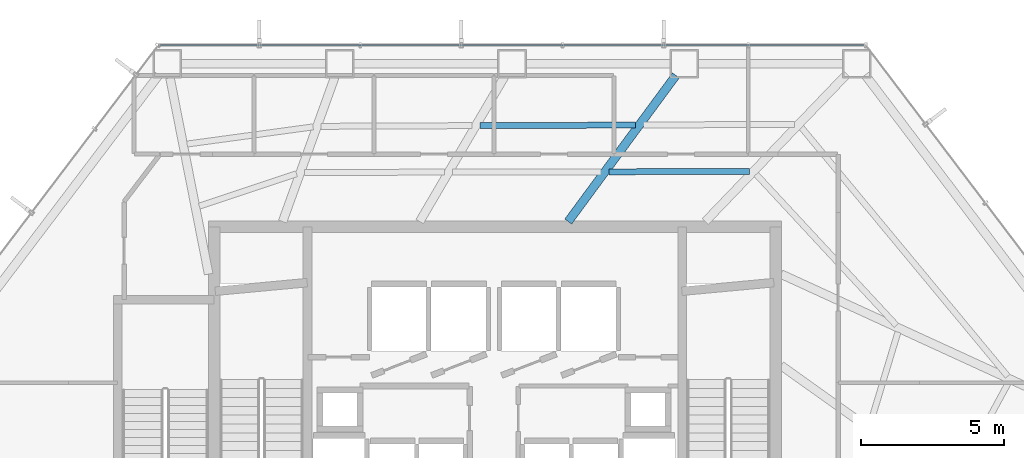
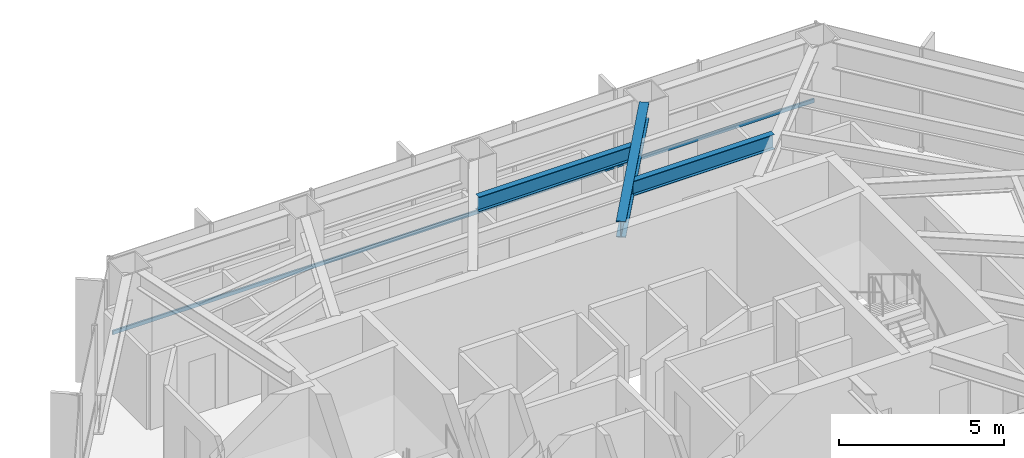
# One storey, part 11 of 24: 3 beams, 1 member, 1 element without a shape of its own.
"""IFC4 building model written with IfcOpenShell, lengths in metres."""

from ifc_helpers import new_model, si_unit, direction, frame, origin, origin_2d, place, context, subcontext, project, spatial, hollow_rectangle, i_section, extrude, material, layer, layer_set, material_profile, profile_set, type_object, element, aggregate, save


model = new_model("IFC4")

# Units and contexts
model_context = context("Model", 3, precision=1e-05, world=origin(), true_north=direction((0.0, 1.0)))
body_context = subcontext(model_context, "Body", "Model", "MODEL_VIEW")
ifc_project = project(units=[si_unit("LENGTHUNIT", "METRE"), si_unit("AREAUNIT", "SQUARE_METRE"), si_unit("VOLUMEUNIT", "CUBIC_METRE"), si_unit("PLANEANGLEUNIT", "RADIAN"), si_unit("MASSUNIT", "GRAM", prefix="KILO")], contexts=[model_context])

# Site, building, storey
site_placement = place(None, origin())
site = spatial("IfcSite", under=ifc_project, at=site_placement, CompositionType="ELEMENT")
building_placement = place(site_placement, origin())
building = spatial("IfcBuilding", under=site, at=building_placement, Name="Zarrinselat Tower", CompositionType="ELEMENT")
storey_placement = place(building_placement, frame((0.0, 0.0, 64.260009765625)))
storey = spatial("IfcBuildingStorey", under=building, at=storey_placement, Name="L15", CompositionType="ELEMENT", Elevation=64.260009765625)

# Beams
ifc_material_1 = material(Name="Steel S355J2", Category="steel")
ifc_material_profile_1 = material_profile(ifc_material_1, i_section(OverallWidth=0.300048828125, OverallDepth=0.60009765625, WebThickness=0.015380859375, FlangeThickness=0.030029296875, at=origin_2d()), Name="HEB 600")
ifc_profile_set_1 = profile_set([ifc_material_profile_1], Name="Steel S355J2")
beam_type_1 = type_object("IfcBeamType", Name="BM-HEB600", PredefinedType="BEAM", material=ifc_profile_set_1)
beam_1_placement = place(storey_placement, frame((41.0, 43.639892578125, 3.52001953125), z_axis=(0.593087649851, 0.80513790098, 0.0), x_axis=(-0.80513790098, 0.593087649851, 0.0)))
element("IfcBeam", 1, at=beam_1_placement, inside=storey, type_object=beam_type_1, Name="L15 Radial Primary Girder RG02", PredefinedType="BEAM", context=body_context, shape_type="SweptSolid", body=[
    extrude(i_section(OverallWidth=0.300048828125, OverallDepth=0.60009765625, WebThickness=0.015380859375, FlangeThickness=0.030029296875, at=origin_2d()), origin(), (0.0, 0.0, 1.0), 6.35546875),
])
ifc_material_2 = material(Name="Steel S355J2", Category="steel")
ifc_material_profile_2 = material_profile(ifc_material_2, i_section(OverallWidth=0.2099609375, OverallDepth=0.550048828125, WebThickness=0.010986328125, FlangeThickness=0.01708984375, at=origin_2d()), Name="IPE 550")
ifc_profile_set_2 = profile_set([ifc_material_profile_2], Name="Steel S355J2")
beam_type_2 = type_object("IfcBeamType", Name="BM-IPE550", PredefinedType="JOIST", material=ifc_profile_set_2)
beam_2_placement = place(storey_placement, frame((42.421630859375, 45.380126953125, 3.544921875), z_axis=(0.999996143911, 0.002777078307, 0.0), x_axis=(-0.002777078307, 0.999996143911, 0.0)))
element("IfcBeam", 2, at=beam_2_placement, inside=storey, type_object=beam_type_2, Name="L15 Composite Floor Joist 7-2", PredefinedType="JOIST", context=body_context, shape_type="SweptSolid", body=[
    extrude(i_section(OverallWidth=0.2099609375, OverallDepth=0.550048828125, WebThickness=0.010986328125, FlangeThickness=0.01708984375, at=origin_2d()), origin(), (0.0, 0.0, 1.0), 4.923095703125),
])
beam_3_placement = place(storey_placement, frame((37.9052734375, 46.998291015625, 3.544921875), z_axis=(0.999994340842, 0.003364265714, 0.0), x_axis=(-0.003364265714, 0.999994340842, 0.0)))
element("IfcBeam", 3, at=beam_3_placement, inside=storey, type_object=beam_type_2, Name="L15 Composite Floor Joist 8-1", PredefinedType="JOIST", context=body_context, shape_type="SweptSolid", body=[
    extrude(i_section(OverallWidth=0.2099609375, OverallDepth=0.550048828125, WebThickness=0.010986328125, FlangeThickness=0.01708984375, at=origin_2d()), origin(), (0.0, 0.0, 1.0), 5.442626953125),
])

# Curtain wall, member
ifc_material_3 = material(Name="Extruded Aluminium Alloy EN AW-6063 T6", Category="aluminium")
ifc_layer = layer(ifc_material_3, 0.18505859375)
ifc_layer_set = layer_set([ifc_layer], Name="Extruded Aluminium Alloy EN AW-6063 T6")
curtain_wall_type = type_object("IfcCurtainWallType", Name="CWS-OFF", PredefinedType="NOTDEFINED", material=ifc_layer_set)
curtain_wall_placement = place(storey_placement, origin())
curtain_wall = element("IfcCurtainWall", 4, at=curtain_wall_placement, inside=storey, type_object=curtain_wall_type, Name="L15 Unitised Curtain Wall CW-L15-E02", PredefinedType="NOTDEFINED")
ifc_material_4 = material(Name="Extruded Aluminium Alloy EN AW-6063 T6", Category="aluminium")
ifc_material_profile_3 = material_profile(ifc_material_4, hollow_rectangle(XDim=0.06005859375, YDim=0.139892578125, WallThickness=0.00390625, at=origin_2d()), Name="RHS 140x60x4")
ifc_profile_set_3 = profile_set([ifc_material_profile_3], Name="Extruded Aluminium Alloy EN AW-6063 T6")
member_type = type_object("IfcMemberType", Name="MEM-CW-TRN", PredefinedType="USERDEFINED", material=ifc_profile_set_3)
member_placement = place(storey_placement, frame((26.7265625, 49.81103515625, 0.949951171875), z_axis=(1.0, 0.0, 0.0), x_axis=(0.0, 1.0, 0.0)))
member = element("IfcMember", 5, at=member_placement, type_object=member_type, Name="CW-L15-E02 Transom 1", ObjectType="TRANSOM", PredefinedType="USERDEFINED", context=body_context, shape_type="SweptSolid", body=[
    extrude(hollow_rectangle(XDim=0.06005859375, YDim=0.139892578125, WallThickness=0.00390625, at=origin_2d()), origin(), (0.0, 0.0, 1.0), 24.609375),
])
aggregate(curtain_wall, [member])

save(model, "model.ifc")
